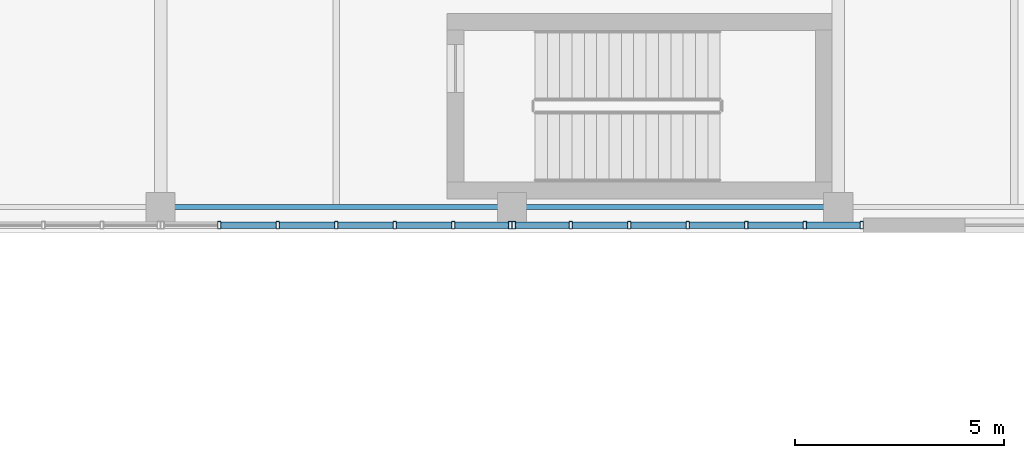
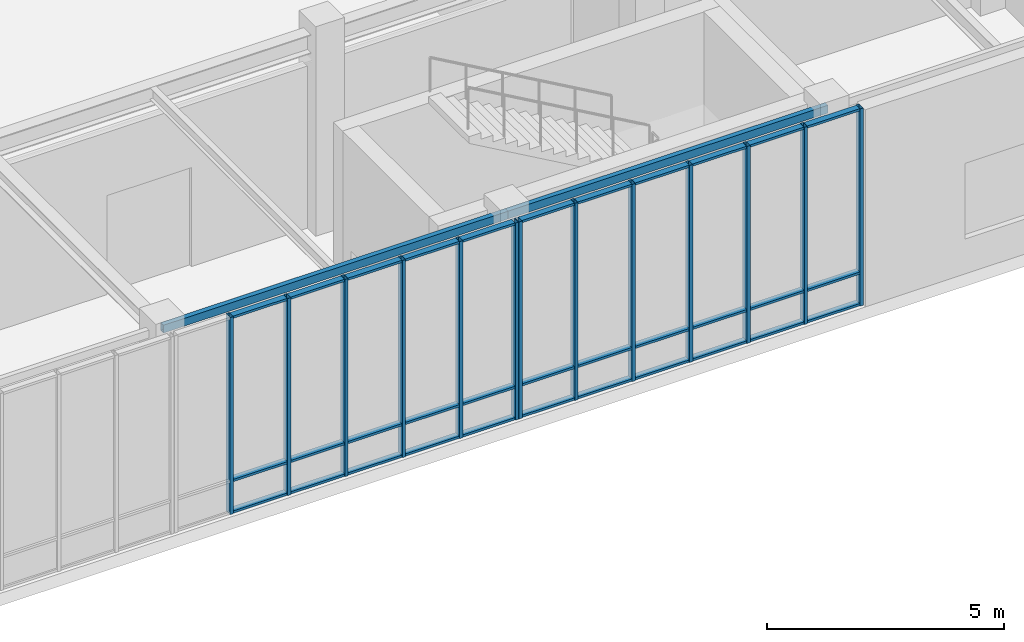
# One storey, part 76 of 122: 46 members, 2 beams, 2 elements without a shape of their own.
"""IFC4 building model written with IfcOpenShell, lengths in metres."""

from ifc_helpers import new_model, si_unit, direction, frame, origin, origin_2d, place, context, subcontext, project, spatial, hollow_rectangle, extrude, material, layer, layer_set, material_profile, profile_set, type_object, element, aggregate, save


model = new_model("IFC4")

# Units and contexts
model_context = context("Model", 3, precision=1e-05, world=origin(), true_north=direction((0.0, 1.0)))
body_context = subcontext(model_context, "Body", "Model", "MODEL_VIEW")
ifc_project = project(units=[si_unit("LENGTHUNIT", "METRE"), si_unit("AREAUNIT", "SQUARE_METRE"), si_unit("VOLUMEUNIT", "CUBIC_METRE"), si_unit("PLANEANGLEUNIT", "RADIAN"), si_unit("MASSUNIT", "GRAM", prefix="KILO")], contexts=[model_context])

# Site, building, storey
site_placement = place(None, origin())
site = spatial("IfcSite", under=ifc_project, at=site_placement, CompositionType="ELEMENT")
building_placement = place(site_placement, origin())
building = spatial("IfcBuilding", under=site, at=building_placement, Name="Zayran Congress Hotel", CompositionType="ELEMENT")
storey_placement = place(building_placement, origin())
storey = spatial("IfcBuildingStorey", under=building, at=storey_placement, Name="L00", CompositionType="ELEMENT", Elevation=0.0)

# Beams
ifc_material_1 = material(Name="Steel S355", Category="steel")
ifc_material_profile_1 = material_profile(ifc_material_1, hollow_rectangle(XDim=0.1201171875, YDim=0.199951171875, WallThickness=0.008056640625, at=origin_2d()), Name="RHS 200x120x8")
ifc_profile_set_1 = profile_set([ifc_material_profile_1], Name="Steel S355")
beam_type = type_object("IfcBeamType", Name="TP-SP-02", PredefinedType="SPANDREL", material=ifc_profile_set_1)
beam_1_placement = place(storey_placement, frame((168.0, 85.0, 4.97998046875), z_axis=(1.0, 0.0, 0.0), x_axis=(0.0, 1.0, 0.0)))
element("IfcBeam", 1, at=beam_1_placement, inside=storey, type_object=beam_type, Name="BM-V2-L00-0899", PredefinedType="SPANDREL", context=body_context, shape_type="SweptSolid", body=[
    extrude(hollow_rectangle(XDim=0.1201171875, YDim=0.199951171875, WallThickness=0.008056640625, at=origin_2d()), origin(), (0.0, 0.0, 1.0), 8.39990234375),
])
beam_2_placement = place(storey_placement, frame((176.39990234375, 85.0, 4.97998046875), z_axis=(1.0, 0.0, 0.0), x_axis=(0.0, 1.0, 0.0)))
element("IfcBeam", 2, at=beam_2_placement, inside=storey, type_object=beam_type, Name="BM-V2-L00-0900", PredefinedType="SPANDREL", context=body_context, shape_type="SweptSolid", body=[
    extrude(hollow_rectangle(XDim=0.1201171875, YDim=0.199951171875, WallThickness=0.008056640625, at=origin_2d()), origin(), (0.0, 0.0, 1.0), 7.800048828125),
])

# Curtain wall, members
ifc_material_2 = material(Name="Anodised aluminium and low-E insulated glass", Category="aluminium")
ifc_layer_1 = layer(ifc_material_2, 0.179931640625)
ifc_layer_set_1 = layer_set([ifc_layer_1], Name="Anodised aluminium and low-E insulated glass")
curtain_wall_type_1 = type_object("IfcCurtainWallType", Name="CW-V2S-L00-CW-V22-8390-5080", PredefinedType="USERDEFINED", material=ifc_layer_set_1)
curtain_wall_1_placement = place(storey_placement, origin())
curtain_wall_1 = element("IfcCurtainWall", 3, at=curtain_wall_1_placement, inside=storey, type_object=curtain_wall_type_1, Name="CW-V2S-L00-3", ObjectType="CURTAIN WALL", PredefinedType="USERDEFINED")
ifc_material_3 = material(Name="Anodised aluminium framing", Category="aluminium")
ifc_material_profile_2 = material_profile(ifc_material_3, hollow_rectangle(XDim=0.080078125, YDim=0.179931640625, WallThickness=0.0048828125, at=origin_2d()), Name="RHS 180x80x5")
ifc_profile_set_2 = profile_set([ifc_material_profile_2], Name="Anodised aluminium framing")
member_type_1 = type_object("IfcMemberType", Name="TP-CWM-01", PredefinedType="MULLION", material=ifc_profile_set_2)
member_1_placement = place(storey_placement, frame((169.4033203125, 84.570068359375, 0.0), z_axis=(0.0, 0.0, 1.0), x_axis=(1.0, 0.0, 0.0)))
member_1 = element("IfcMember", 4, at=member_1_placement, type_object=member_type_1, Name="CW-V2S-L00-3-M01", PredefinedType="MULLION", context=body_context, shape_type="SweptSolid", body=[
    extrude(hollow_rectangle(XDim=0.080078125, YDim=0.179931640625, WallThickness=0.0048828125, at=origin_2d()), origin(), (0.0, 0.0, 1.0), 5.080078125),
])
member_2_placement = place(storey_placement, frame((170.8017578125, 84.570068359375, 0.0), z_axis=(0.0, 0.0, 1.0), x_axis=(1.0, 0.0, 0.0)))
member_2 = element("IfcMember", 5, at=member_2_placement, type_object=member_type_1, Name="CW-V2S-L00-3-M02", PredefinedType="MULLION", context=body_context, shape_type="SweptSolid", body=[
    extrude(hollow_rectangle(XDim=0.080078125, YDim=0.179931640625, WallThickness=0.0048828125, at=origin_2d()), origin(), (0.0, 0.0, 1.0), 5.080078125),
])
member_3_placement = place(storey_placement, frame((172.199951171875, 84.570068359375, 0.0), z_axis=(0.0, 0.0, 1.0), x_axis=(1.0, 0.0, 0.0)))
member_3 = element("IfcMember", 6, at=member_3_placement, type_object=member_type_1, Name="CW-V2S-L00-3-M03", PredefinedType="MULLION", context=body_context, shape_type="SweptSolid", body=[
    extrude(hollow_rectangle(XDim=0.080078125, YDim=0.179931640625, WallThickness=0.0048828125, at=origin_2d()), origin(), (0.0, 0.0, 1.0), 5.080078125),
])
member_4_placement = place(storey_placement, frame((173.598388671875, 84.570068359375, 0.0), z_axis=(0.0, 0.0, 1.0), x_axis=(1.0, 0.0, 0.0)))
member_4 = element("IfcMember", 7, at=member_4_placement, type_object=member_type_1, Name="CW-V2S-L00-3-M04", PredefinedType="MULLION", context=body_context, shape_type="SweptSolid", body=[
    extrude(hollow_rectangle(XDim=0.080078125, YDim=0.179931640625, WallThickness=0.0048828125, at=origin_2d()), origin(), (0.0, 0.0, 1.0), 5.080078125),
])
member_5_placement = place(storey_placement, frame((174.99658203125, 84.570068359375, 0.0), z_axis=(0.0, 0.0, 1.0), x_axis=(1.0, 0.0, 0.0)))
member_5 = element("IfcMember", 8, at=member_5_placement, type_object=member_type_1, Name="CW-V2S-L00-3-M05", PredefinedType="MULLION", context=body_context, shape_type="SweptSolid", body=[
    extrude(hollow_rectangle(XDim=0.080078125, YDim=0.179931640625, WallThickness=0.0048828125, at=origin_2d()), origin(), (0.0, 0.0, 1.0), 5.080078125),
])
member_6_placement = place(storey_placement, frame((176.35498046875, 84.570068359375, 0.0), z_axis=(0.0, 0.0, 1.0), x_axis=(1.0, 0.0, 0.0)))
member_6 = element("IfcMember", 9, at=member_6_placement, type_object=member_type_1, Name="CW-V2S-L00-3-M06", PredefinedType="MULLION", context=body_context, shape_type="SweptSolid", body=[
    extrude(hollow_rectangle(XDim=0.080078125, YDim=0.179931640625, WallThickness=0.0048828125, at=origin_2d()), origin(), (0.0, 0.0, 1.0), 5.080078125),
])

ifc_layer_2 = layer(ifc_material_2, 0.179931640625)
ifc_layer_set_2 = layer_set([ifc_layer_2], Name="Anodised aluminium and low-E insulated glass")
curtain_wall_type_2 = type_object("IfcCurtainWallType", Name="CW-V2S-L00-CW-V21-8395-5080", PredefinedType="USERDEFINED", material=ifc_layer_set_2)
curtain_wall_2_placement = place(storey_placement, origin())
curtain_wall_2 = element("IfcCurtainWall", 10, at=curtain_wall_2_placement, inside=storey, type_object=curtain_wall_type_2, Name="CW-V2S-L00-4", ObjectType="CURTAIN WALL", PredefinedType="USERDEFINED")
member_7_placement = place(storey_placement, frame((176.445068359375, 84.570068359375, 0.0), z_axis=(0.0, 0.0, 1.0), x_axis=(1.0, 0.0, 0.0)))
member_7 = element("IfcMember", 11, at=member_7_placement, type_object=member_type_1, Name="CW-V2S-L00-4-M00", PredefinedType="MULLION", context=body_context, shape_type="SweptSolid", body=[
    extrude(hollow_rectangle(XDim=0.080078125, YDim=0.179931640625, WallThickness=0.0048828125, at=origin_2d()), origin(), (0.0, 0.0, 1.0), 5.080078125),
])
member_8_placement = place(storey_placement, frame((177.80419921875, 84.570068359375, 0.0), z_axis=(0.0, 0.0, 1.0), x_axis=(1.0, 0.0, 0.0)))
member_8 = element("IfcMember", 12, at=member_8_placement, type_object=member_type_1, Name="CW-V2S-L00-4-M01", PredefinedType="MULLION", context=body_context, shape_type="SweptSolid", body=[
    extrude(hollow_rectangle(XDim=0.080078125, YDim=0.179931640625, WallThickness=0.0048828125, at=origin_2d()), origin(), (0.0, 0.0, 1.0), 5.080078125),
])
member_9_placement = place(storey_placement, frame((179.203369140625, 84.570068359375, 0.0), z_axis=(0.0, 0.0, 1.0), x_axis=(1.0, 0.0, 0.0)))
member_9 = element("IfcMember", 13, at=member_9_placement, type_object=member_type_1, Name="CW-V2S-L00-4-M02", PredefinedType="MULLION", context=body_context, shape_type="SweptSolid", body=[
    extrude(hollow_rectangle(XDim=0.080078125, YDim=0.179931640625, WallThickness=0.0048828125, at=origin_2d()), origin(), (0.0, 0.0, 1.0), 5.080078125),
])
member_10_placement = place(storey_placement, frame((180.6025390625, 84.570068359375, 0.0), z_axis=(0.0, 0.0, 1.0), x_axis=(1.0, 0.0, 0.0)))
member_10 = element("IfcMember", 14, at=member_10_placement, type_object=member_type_1, Name="CW-V2S-L00-4-M03", PredefinedType="MULLION", context=body_context, shape_type="SweptSolid", body=[
    extrude(hollow_rectangle(XDim=0.080078125, YDim=0.179931640625, WallThickness=0.0048828125, at=origin_2d()), origin(), (0.0, 0.0, 1.0), 5.080078125),
])
member_11_placement = place(storey_placement, frame((182.001708984375, 84.570068359375, 0.0), z_axis=(0.0, 0.0, 1.0), x_axis=(1.0, 0.0, 0.0)))
member_11 = element("IfcMember", 15, at=member_11_placement, type_object=member_type_1, Name="CW-V2S-L00-4-M04", PredefinedType="MULLION", context=body_context, shape_type="SweptSolid", body=[
    extrude(hollow_rectangle(XDim=0.080078125, YDim=0.179931640625, WallThickness=0.0048828125, at=origin_2d()), origin(), (0.0, 0.0, 1.0), 5.080078125),
])
member_12_placement = place(storey_placement, frame((183.40087890625, 84.570068359375, 0.0), z_axis=(0.0, 0.0, 1.0), x_axis=(1.0, 0.0, 0.0)))
member_12 = element("IfcMember", 16, at=member_12_placement, type_object=member_type_1, Name="CW-V2S-L00-4-M05", PredefinedType="MULLION", context=body_context, shape_type="SweptSolid", body=[
    extrude(hollow_rectangle(XDim=0.080078125, YDim=0.179931640625, WallThickness=0.0048828125, at=origin_2d()), origin(), (0.0, 0.0, 1.0), 5.080078125),
])
member_13_placement = place(storey_placement, frame((184.760009765625, 84.570068359375, 0.0), z_axis=(0.0, 0.0, 1.0), x_axis=(1.0, 0.0, 0.0)))
member_13 = element("IfcMember", 17, at=member_13_placement, type_object=member_type_1, Name="CW-V2S-L00-4-M06", PredefinedType="MULLION", context=body_context, shape_type="SweptSolid", body=[
    extrude(hollow_rectangle(XDim=0.080078125, YDim=0.179931640625, WallThickness=0.0048828125, at=origin_2d()), origin(), (0.0, 0.0, 1.0), 5.080078125),
])

# Member
ifc_material_profile_3 = material_profile(ifc_material_3, hollow_rectangle(XDim=0.06005859375, YDim=0.14990234375, WallThickness=0.00390625, at=origin_2d()), Name="RHS 150x60x4")
ifc_profile_set_3 = profile_set([ifc_material_profile_3], Name="Anodised aluminium framing")
member_type_2 = type_object("IfcMemberType", Name="TP-CWT-01", PredefinedType="USERDEFINED", material=ifc_profile_set_3)
member_14_placement = place(storey_placement, frame((169.443359375, 84.570068359375, 0.030029296875), z_axis=(1.0, 0.0, 0.0), x_axis=(0.0, 0.0, 1.0)))
member_14 = element("IfcMember", 18, at=member_14_placement, type_object=member_type_2, Name="CW-V2S-L00-3-T01-0", ObjectType="TRANSOM", PredefinedType="USERDEFINED", context=body_context, shape_type="SweptSolid", body=[
    extrude(hollow_rectangle(XDim=0.06005859375, YDim=0.14990234375, WallThickness=0.00390625, at=origin_2d()), origin(), (0.0, 0.0, 1.0), 1.318359375),
])

member_15_placement = place(storey_placement, frame((169.443359375, 84.570068359375, 0.840087890625), z_axis=(1.0, 0.0, 0.0), x_axis=(0.0, 0.0, 1.0)))
member_15 = element("IfcMember", 19, at=member_15_placement, type_object=member_type_2, Name="CW-V2S-L00-3-T01-1", ObjectType="TRANSOM", PredefinedType="USERDEFINED", context=body_context, shape_type="SweptSolid", body=[
    extrude(hollow_rectangle(XDim=0.06005859375, YDim=0.14990234375, WallThickness=0.00390625, at=origin_2d()), origin(), (0.0, 0.0, 1.0), 1.318359375),
])

member_16_placement = place(storey_placement, frame((169.443359375, 84.570068359375, 5.050048828125), z_axis=(1.0, 0.0, 0.0), x_axis=(0.0, 0.0, 1.0)))
member_16 = element("IfcMember", 20, at=member_16_placement, type_object=member_type_2, Name="CW-V2S-L00-3-T01-2", ObjectType="TRANSOM", PredefinedType="USERDEFINED", context=body_context, shape_type="SweptSolid", body=[
    extrude(hollow_rectangle(XDim=0.06005859375, YDim=0.14990234375, WallThickness=0.00390625, at=origin_2d()), origin(), (0.0, 0.0, 1.0), 1.318359375),
])

member_17_placement = place(storey_placement, frame((170.841796875, 84.570068359375, 0.030029296875), z_axis=(1.0, 0.0, 0.0), x_axis=(0.0, 0.0, 1.0)))
member_17 = element("IfcMember", 21, at=member_17_placement, type_object=member_type_2, Name="CW-V2S-L00-3-T02-0", ObjectType="TRANSOM", PredefinedType="USERDEFINED", context=body_context, shape_type="SweptSolid", body=[
    extrude(hollow_rectangle(XDim=0.06005859375, YDim=0.14990234375, WallThickness=0.00390625, at=origin_2d()), origin(), (0.0, 0.0, 1.0), 1.318115234375),
])

member_18_placement = place(storey_placement, frame((170.841796875, 84.570068359375, 0.840087890625), z_axis=(1.0, 0.0, 0.0), x_axis=(0.0, 0.0, 1.0)))
member_18 = element("IfcMember", 22, at=member_18_placement, type_object=member_type_2, Name="CW-V2S-L00-3-T02-1", ObjectType="TRANSOM", PredefinedType="USERDEFINED", context=body_context, shape_type="SweptSolid", body=[
    extrude(hollow_rectangle(XDim=0.06005859375, YDim=0.14990234375, WallThickness=0.00390625, at=origin_2d()), origin(), (0.0, 0.0, 1.0), 1.318115234375),
])

member_19_placement = place(storey_placement, frame((170.841796875, 84.570068359375, 5.050048828125), z_axis=(1.0, 0.0, 0.0), x_axis=(0.0, 0.0, 1.0)))
member_19 = element("IfcMember", 23, at=member_19_placement, type_object=member_type_2, Name="CW-V2S-L00-3-T02-2", ObjectType="TRANSOM", PredefinedType="USERDEFINED", context=body_context, shape_type="SweptSolid", body=[
    extrude(hollow_rectangle(XDim=0.06005859375, YDim=0.14990234375, WallThickness=0.00390625, at=origin_2d()), origin(), (0.0, 0.0, 1.0), 1.318115234375),
])

member_20_placement = place(storey_placement, frame((172.239990234375, 84.570068359375, 0.030029296875), z_axis=(1.0, 0.0, 0.0), x_axis=(0.0, 0.0, 1.0)))
member_20 = element("IfcMember", 24, at=member_20_placement, type_object=member_type_2, Name="CW-V2S-L00-3-T03-0", ObjectType="TRANSOM", PredefinedType="USERDEFINED", context=body_context, shape_type="SweptSolid", body=[
    extrude(hollow_rectangle(XDim=0.06005859375, YDim=0.14990234375, WallThickness=0.00390625, at=origin_2d()), origin(), (0.0, 0.0, 1.0), 1.318359375),
])

member_21_placement = place(storey_placement, frame((172.239990234375, 84.570068359375, 0.840087890625), z_axis=(1.0, 0.0, 0.0), x_axis=(0.0, 0.0, 1.0)))
member_21 = element("IfcMember", 25, at=member_21_placement, type_object=member_type_2, Name="CW-V2S-L00-3-T03-1", ObjectType="TRANSOM", PredefinedType="USERDEFINED", context=body_context, shape_type="SweptSolid", body=[
    extrude(hollow_rectangle(XDim=0.06005859375, YDim=0.14990234375, WallThickness=0.00390625, at=origin_2d()), origin(), (0.0, 0.0, 1.0), 1.318359375),
])

member_22_placement = place(storey_placement, frame((172.239990234375, 84.570068359375, 5.050048828125), z_axis=(1.0, 0.0, 0.0), x_axis=(0.0, 0.0, 1.0)))
member_22 = element("IfcMember", 26, at=member_22_placement, type_object=member_type_2, Name="CW-V2S-L00-3-T03-2", ObjectType="TRANSOM", PredefinedType="USERDEFINED", context=body_context, shape_type="SweptSolid", body=[
    extrude(hollow_rectangle(XDim=0.06005859375, YDim=0.14990234375, WallThickness=0.00390625, at=origin_2d()), origin(), (0.0, 0.0, 1.0), 1.318359375),
])

member_23_placement = place(storey_placement, frame((173.63818359375, 84.570068359375, 0.030029296875), z_axis=(1.0, 0.0, 0.0), x_axis=(0.0, 0.0, 1.0)))
member_23 = element("IfcMember", 27, at=member_23_placement, type_object=member_type_2, Name="CW-V2S-L00-3-T04-0", ObjectType="TRANSOM", PredefinedType="USERDEFINED", context=body_context, shape_type="SweptSolid", body=[
    extrude(hollow_rectangle(XDim=0.06005859375, YDim=0.14990234375, WallThickness=0.00390625, at=origin_2d()), origin(), (0.0, 0.0, 1.0), 1.318603515625),
])

member_24_placement = place(storey_placement, frame((173.63818359375, 84.570068359375, 0.840087890625), z_axis=(1.0, 0.0, 0.0), x_axis=(0.0, 0.0, 1.0)))
member_24 = element("IfcMember", 28, at=member_24_placement, type_object=member_type_2, Name="CW-V2S-L00-3-T04-1", ObjectType="TRANSOM", PredefinedType="USERDEFINED", context=body_context, shape_type="SweptSolid", body=[
    extrude(hollow_rectangle(XDim=0.06005859375, YDim=0.14990234375, WallThickness=0.00390625, at=origin_2d()), origin(), (0.0, 0.0, 1.0), 1.318603515625),
])

member_25_placement = place(storey_placement, frame((173.63818359375, 84.570068359375, 5.050048828125), z_axis=(1.0, 0.0, 0.0), x_axis=(0.0, 0.0, 1.0)))
member_25 = element("IfcMember", 29, at=member_25_placement, type_object=member_type_2, Name="CW-V2S-L00-3-T04-2", ObjectType="TRANSOM", PredefinedType="USERDEFINED", context=body_context, shape_type="SweptSolid", body=[
    extrude(hollow_rectangle(XDim=0.06005859375, YDim=0.14990234375, WallThickness=0.00390625, at=origin_2d()), origin(), (0.0, 0.0, 1.0), 1.318603515625),
])

member_26_placement = place(storey_placement, frame((175.03662109375, 84.570068359375, 0.030029296875), z_axis=(1.0, 0.0, 0.0), x_axis=(0.0, 0.0, 1.0)))
member_26 = element("IfcMember", 30, at=member_26_placement, type_object=member_type_2, Name="CW-V2S-L00-3-T05-0", ObjectType="TRANSOM", PredefinedType="USERDEFINED", context=body_context, shape_type="SweptSolid", body=[
    extrude(hollow_rectangle(XDim=0.06005859375, YDim=0.14990234375, WallThickness=0.00390625, at=origin_2d()), origin(), (0.0, 0.0, 1.0), 1.2783203125),
])

member_27_placement = place(storey_placement, frame((175.03662109375, 84.570068359375, 0.840087890625), z_axis=(1.0, 0.0, 0.0), x_axis=(0.0, 0.0, 1.0)))
member_27 = element("IfcMember", 31, at=member_27_placement, type_object=member_type_2, Name="CW-V2S-L00-3-T05-1", ObjectType="TRANSOM", PredefinedType="USERDEFINED", context=body_context, shape_type="SweptSolid", body=[
    extrude(hollow_rectangle(XDim=0.06005859375, YDim=0.14990234375, WallThickness=0.00390625, at=origin_2d()), origin(), (0.0, 0.0, 1.0), 1.2783203125),
])

member_28_placement = place(storey_placement, frame((175.03662109375, 84.570068359375, 5.050048828125), z_axis=(1.0, 0.0, 0.0), x_axis=(0.0, 0.0, 1.0)))
member_28 = element("IfcMember", 32, at=member_28_placement, type_object=member_type_2, Name="CW-V2S-L00-3-T05-2", ObjectType="TRANSOM", PredefinedType="USERDEFINED", context=body_context, shape_type="SweptSolid", body=[
    extrude(hollow_rectangle(XDim=0.06005859375, YDim=0.14990234375, WallThickness=0.00390625, at=origin_2d()), origin(), (0.0, 0.0, 1.0), 1.2783203125),
])

aggregate(curtain_wall_1, [member_1, member_2, member_3, member_4, member_5, member_6, member_14, member_15, member_16, member_17, member_18, member_19, member_20, member_21, member_22, member_23, member_24, member_25, member_26, member_27, member_28])

member_29_placement = place(storey_placement, frame((176.485107421875, 84.570068359375, 0.030029296875), z_axis=(1.0, 0.0, 0.0), x_axis=(0.0, 0.0, 1.0)))
member_29 = element("IfcMember", 33, at=member_29_placement, type_object=member_type_2, Name="CW-V2S-L00-4-T00-0", ObjectType="TRANSOM", PredefinedType="USERDEFINED", context=body_context, shape_type="SweptSolid", body=[
    extrude(hollow_rectangle(XDim=0.06005859375, YDim=0.14990234375, WallThickness=0.00390625, at=origin_2d()), origin(), (0.0, 0.0, 1.0), 1.279052734375),
])

member_30_placement = place(storey_placement, frame((176.485107421875, 84.570068359375, 0.840087890625), z_axis=(1.0, 0.0, 0.0), x_axis=(0.0, 0.0, 1.0)))
member_30 = element("IfcMember", 34, at=member_30_placement, type_object=member_type_2, Name="CW-V2S-L00-4-T00-1", ObjectType="TRANSOM", PredefinedType="USERDEFINED", context=body_context, shape_type="SweptSolid", body=[
    extrude(hollow_rectangle(XDim=0.06005859375, YDim=0.14990234375, WallThickness=0.00390625, at=origin_2d()), origin(), (0.0, 0.0, 1.0), 1.279052734375),
])

member_31_placement = place(storey_placement, frame((176.485107421875, 84.570068359375, 5.050048828125), z_axis=(1.0, 0.0, 0.0), x_axis=(0.0, 0.0, 1.0)))
member_31 = element("IfcMember", 35, at=member_31_placement, type_object=member_type_2, Name="CW-V2S-L00-4-T00-2", ObjectType="TRANSOM", PredefinedType="USERDEFINED", context=body_context, shape_type="SweptSolid", body=[
    extrude(hollow_rectangle(XDim=0.06005859375, YDim=0.14990234375, WallThickness=0.00390625, at=origin_2d()), origin(), (0.0, 0.0, 1.0), 1.279052734375),
])

member_32_placement = place(storey_placement, frame((177.84423828125, 84.570068359375, 0.030029296875), z_axis=(1.0, 0.0, 0.0), x_axis=(0.0, 0.0, 1.0)))
member_32 = element("IfcMember", 36, at=member_32_placement, type_object=member_type_2, Name="CW-V2S-L00-4-T01-0", ObjectType="TRANSOM", PredefinedType="USERDEFINED", context=body_context, shape_type="SweptSolid", body=[
    extrude(hollow_rectangle(XDim=0.06005859375, YDim=0.14990234375, WallThickness=0.00390625, at=origin_2d()), origin(), (0.0, 0.0, 1.0), 1.319091796875),
])

member_33_placement = place(storey_placement, frame((177.84423828125, 84.570068359375, 0.840087890625), z_axis=(1.0, 0.0, 0.0), x_axis=(0.0, 0.0, 1.0)))
member_33 = element("IfcMember", 37, at=member_33_placement, type_object=member_type_2, Name="CW-V2S-L00-4-T01-1", ObjectType="TRANSOM", PredefinedType="USERDEFINED", context=body_context, shape_type="SweptSolid", body=[
    extrude(hollow_rectangle(XDim=0.06005859375, YDim=0.14990234375, WallThickness=0.00390625, at=origin_2d()), origin(), (0.0, 0.0, 1.0), 1.319091796875),
])

member_34_placement = place(storey_placement, frame((177.84423828125, 84.570068359375, 5.050048828125), z_axis=(1.0, 0.0, 0.0), x_axis=(0.0, 0.0, 1.0)))
member_34 = element("IfcMember", 38, at=member_34_placement, type_object=member_type_2, Name="CW-V2S-L00-4-T01-2", ObjectType="TRANSOM", PredefinedType="USERDEFINED", context=body_context, shape_type="SweptSolid", body=[
    extrude(hollow_rectangle(XDim=0.06005859375, YDim=0.14990234375, WallThickness=0.00390625, at=origin_2d()), origin(), (0.0, 0.0, 1.0), 1.319091796875),
])

member_35_placement = place(storey_placement, frame((179.243408203125, 84.570068359375, 0.030029296875), z_axis=(1.0, 0.0, 0.0), x_axis=(0.0, 0.0, 1.0)))
member_35 = element("IfcMember", 39, at=member_35_placement, type_object=member_type_2, Name="CW-V2S-L00-4-T02-0", ObjectType="TRANSOM", PredefinedType="USERDEFINED", context=body_context, shape_type="SweptSolid", body=[
    extrude(hollow_rectangle(XDim=0.06005859375, YDim=0.14990234375, WallThickness=0.00390625, at=origin_2d()), origin(), (0.0, 0.0, 1.0), 1.319091796875),
])

member_36_placement = place(storey_placement, frame((179.243408203125, 84.570068359375, 0.840087890625), z_axis=(1.0, 0.0, 0.0), x_axis=(0.0, 0.0, 1.0)))
member_36 = element("IfcMember", 40, at=member_36_placement, type_object=member_type_2, Name="CW-V2S-L00-4-T02-1", ObjectType="TRANSOM", PredefinedType="USERDEFINED", context=body_context, shape_type="SweptSolid", body=[
    extrude(hollow_rectangle(XDim=0.06005859375, YDim=0.14990234375, WallThickness=0.00390625, at=origin_2d()), origin(), (0.0, 0.0, 1.0), 1.319091796875),
])

member_37_placement = place(storey_placement, frame((179.243408203125, 84.570068359375, 5.050048828125), z_axis=(1.0, 0.0, 0.0), x_axis=(0.0, 0.0, 1.0)))
member_37 = element("IfcMember", 41, at=member_37_placement, type_object=member_type_2, Name="CW-V2S-L00-4-T02-2", ObjectType="TRANSOM", PredefinedType="USERDEFINED", context=body_context, shape_type="SweptSolid", body=[
    extrude(hollow_rectangle(XDim=0.06005859375, YDim=0.14990234375, WallThickness=0.00390625, at=origin_2d()), origin(), (0.0, 0.0, 1.0), 1.319091796875),
])

member_38_placement = place(storey_placement, frame((180.642578125, 84.570068359375, 0.030029296875), z_axis=(1.0, 0.0, 0.0), x_axis=(0.0, 0.0, 1.0)))
member_38 = element("IfcMember", 42, at=member_38_placement, type_object=member_type_2, Name="CW-V2S-L00-4-T03-0", ObjectType="TRANSOM", PredefinedType="USERDEFINED", context=body_context, shape_type="SweptSolid", body=[
    extrude(hollow_rectangle(XDim=0.06005859375, YDim=0.14990234375, WallThickness=0.00390625, at=origin_2d()), origin(), (0.0, 0.0, 1.0), 1.319091796875),
])

member_39_placement = place(storey_placement, frame((180.642578125, 84.570068359375, 0.840087890625), z_axis=(1.0, 0.0, 0.0), x_axis=(0.0, 0.0, 1.0)))
member_39 = element("IfcMember", 43, at=member_39_placement, type_object=member_type_2, Name="CW-V2S-L00-4-T03-1", ObjectType="TRANSOM", PredefinedType="USERDEFINED", context=body_context, shape_type="SweptSolid", body=[
    extrude(hollow_rectangle(XDim=0.06005859375, YDim=0.14990234375, WallThickness=0.00390625, at=origin_2d()), origin(), (0.0, 0.0, 1.0), 1.319091796875),
])

member_40_placement = place(storey_placement, frame((180.642578125, 84.570068359375, 5.050048828125), z_axis=(1.0, 0.0, 0.0), x_axis=(0.0, 0.0, 1.0)))
member_40 = element("IfcMember", 44, at=member_40_placement, type_object=member_type_2, Name="CW-V2S-L00-4-T03-2", ObjectType="TRANSOM", PredefinedType="USERDEFINED", context=body_context, shape_type="SweptSolid", body=[
    extrude(hollow_rectangle(XDim=0.06005859375, YDim=0.14990234375, WallThickness=0.00390625, at=origin_2d()), origin(), (0.0, 0.0, 1.0), 1.319091796875),
])

member_41_placement = place(storey_placement, frame((182.041748046875, 84.570068359375, 0.030029296875), z_axis=(1.0, 0.0, 0.0), x_axis=(0.0, 0.0, 1.0)))
member_41 = element("IfcMember", 45, at=member_41_placement, type_object=member_type_2, Name="CW-V2S-L00-4-T04-0", ObjectType="TRANSOM", PredefinedType="USERDEFINED", context=body_context, shape_type="SweptSolid", body=[
    extrude(hollow_rectangle(XDim=0.06005859375, YDim=0.14990234375, WallThickness=0.00390625, at=origin_2d()), origin(), (0.0, 0.0, 1.0), 1.319091796875),
])

member_42_placement = place(storey_placement, frame((182.041748046875, 84.570068359375, 0.840087890625), z_axis=(1.0, 0.0, 0.0), x_axis=(0.0, 0.0, 1.0)))
member_42 = element("IfcMember", 46, at=member_42_placement, type_object=member_type_2, Name="CW-V2S-L00-4-T04-1", ObjectType="TRANSOM", PredefinedType="USERDEFINED", context=body_context, shape_type="SweptSolid", body=[
    extrude(hollow_rectangle(XDim=0.06005859375, YDim=0.14990234375, WallThickness=0.00390625, at=origin_2d()), origin(), (0.0, 0.0, 1.0), 1.319091796875),
])

member_43_placement = place(storey_placement, frame((182.041748046875, 84.570068359375, 5.050048828125), z_axis=(1.0, 0.0, 0.0), x_axis=(0.0, 0.0, 1.0)))
member_43 = element("IfcMember", 47, at=member_43_placement, type_object=member_type_2, Name="CW-V2S-L00-4-T04-2", ObjectType="TRANSOM", PredefinedType="USERDEFINED", context=body_context, shape_type="SweptSolid", body=[
    extrude(hollow_rectangle(XDim=0.06005859375, YDim=0.14990234375, WallThickness=0.00390625, at=origin_2d()), origin(), (0.0, 0.0, 1.0), 1.319091796875),
])

member_44_placement = place(storey_placement, frame((183.44091796875, 84.570068359375, 0.030029296875), z_axis=(1.0, 0.0, 0.0), x_axis=(0.0, 0.0, 1.0)))
member_44 = element("IfcMember", 48, at=member_44_placement, type_object=member_type_2, Name="CW-V2S-L00-4-T05-0", ObjectType="TRANSOM", PredefinedType="USERDEFINED", context=body_context, shape_type="SweptSolid", body=[
    extrude(hollow_rectangle(XDim=0.06005859375, YDim=0.14990234375, WallThickness=0.00390625, at=origin_2d()), origin(), (0.0, 0.0, 1.0), 1.279052734375),
])

member_45_placement = place(storey_placement, frame((183.44091796875, 84.570068359375, 0.840087890625), z_axis=(1.0, 0.0, 0.0), x_axis=(0.0, 0.0, 1.0)))
member_45 = element("IfcMember", 49, at=member_45_placement, type_object=member_type_2, Name="CW-V2S-L00-4-T05-1", ObjectType="TRANSOM", PredefinedType="USERDEFINED", context=body_context, shape_type="SweptSolid", body=[
    extrude(hollow_rectangle(XDim=0.06005859375, YDim=0.14990234375, WallThickness=0.00390625, at=origin_2d()), origin(), (0.0, 0.0, 1.0), 1.279052734375),
])

member_46_placement = place(storey_placement, frame((183.44091796875, 84.570068359375, 5.050048828125), z_axis=(1.0, 0.0, 0.0), x_axis=(0.0, 0.0, 1.0)))
member_46 = element("IfcMember", 50, at=member_46_placement, type_object=member_type_2, Name="CW-V2S-L00-4-T05-2", ObjectType="TRANSOM", PredefinedType="USERDEFINED", context=body_context, shape_type="SweptSolid", body=[
    extrude(hollow_rectangle(XDim=0.06005859375, YDim=0.14990234375, WallThickness=0.00390625, at=origin_2d()), origin(), (0.0, 0.0, 1.0), 1.279052734375),
])

aggregate(curtain_wall_2, [member_7, member_8, member_9, member_10, member_11, member_12, member_13, member_29, member_30, member_31, member_32, member_33, member_34, member_35, member_36, member_37, member_38, member_39, member_40, member_41, member_42, member_43, member_44, member_45, member_46])

save(model, "model.ifc")
